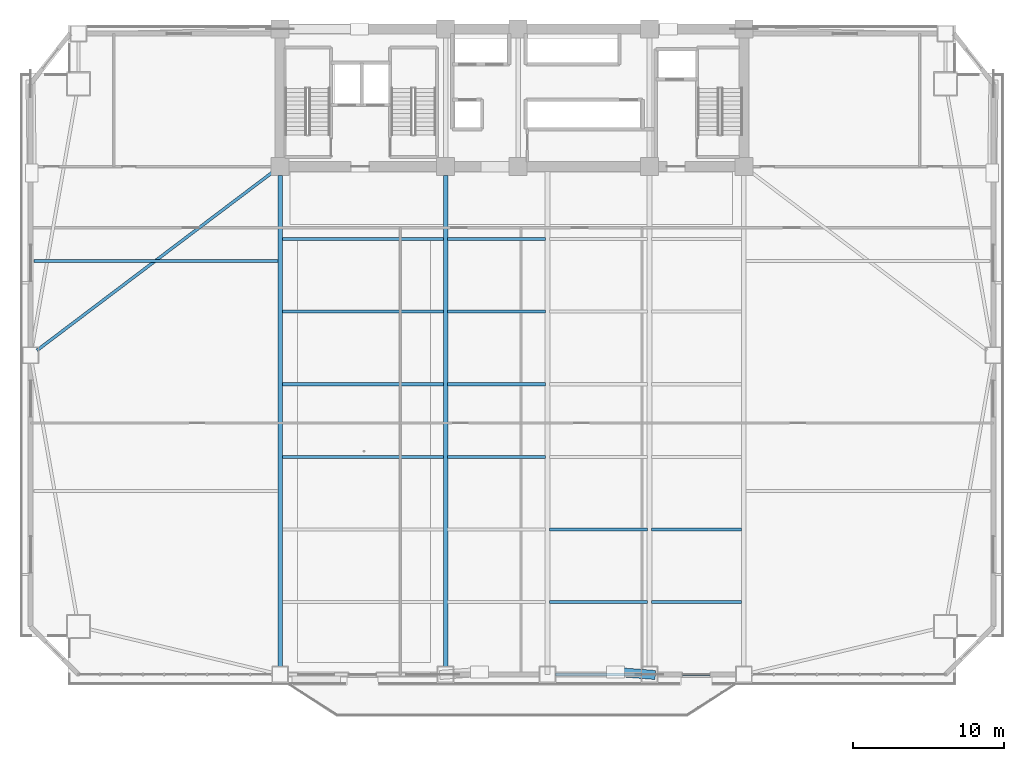
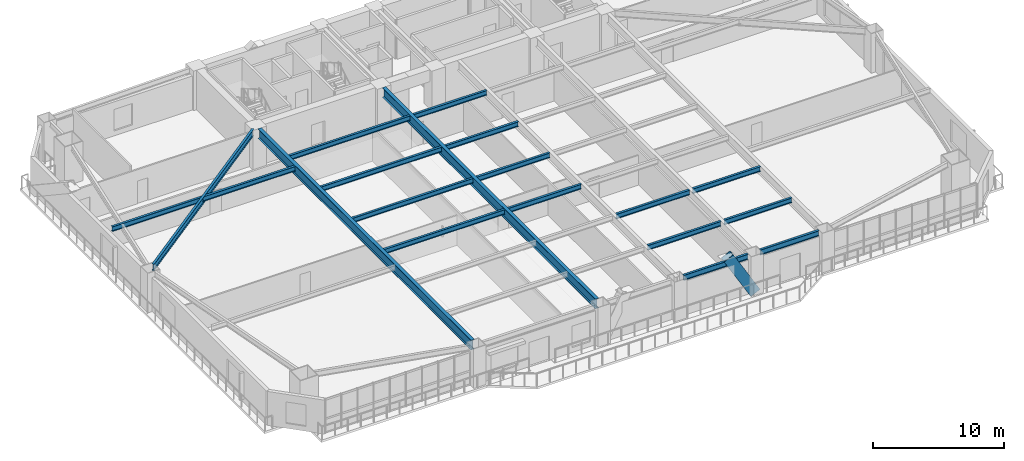
# One storey, part 5 of 17: 18 beams, 1 member.
"""IFC4 building model written with IfcOpenShell, lengths in metres."""

from ifc_helpers import new_model, si_unit, direction, frame, origin, origin_2d, place, context, subcontext, project, spatial, hollow_rectangle, i_section, extrude, source, transform, mapped, material, material_profile, profile_set, type_object, element, save


model = new_model("IFC4")

# Units and contexts
model_context = context("Model", 3, precision=1e-05, world=origin(), true_north=direction((0.0, 1.0)))
body_context = subcontext(model_context, "Body", "Model", "MODEL_VIEW")
ifc_project = project(units=[si_unit("LENGTHUNIT", "METRE"), si_unit("AREAUNIT", "SQUARE_METRE"), si_unit("VOLUMEUNIT", "CUBIC_METRE"), si_unit("PLANEANGLEUNIT", "RADIAN"), si_unit("MASSUNIT", "GRAM", prefix="KILO")], contexts=[model_context])

# Site, building, storey
site_placement = place(None, origin())
site = spatial("IfcSite", under=ifc_project, at=site_placement, CompositionType="ELEMENT")
building_placement = place(site_placement, origin())
building = spatial("IfcBuilding", under=site, at=building_placement, Name="Giltprow Tower", CompositionType="ELEMENT")
storey_placement = place(building_placement, frame((0.0, 0.0, 37.10009765625)))
storey = spatial("IfcBuildingStorey", under=building, at=storey_placement, Name="L09", CompositionType="ELEMENT", Elevation=37.10009765625)

# Beams
ifc_material_1 = material(Name="Structural steel Q355B", Category="steel")
ifc_material_profile_1 = material_profile(ifc_material_1, i_section(OverallWidth=0.199951171875, OverallDepth=0.5, WebThickness=0.010009765625, FlangeThickness=0.01611328125, at=origin_2d()), Name="HN 500x200x10x16")
ifc_profile_set_1 = profile_set([ifc_material_profile_1], Name="Structural steel Q355B")
beam_type_1 = type_object("IfcBeamType", Name="BM-SPAN-HN500", PredefinedType="SPANDREL", material=ifc_profile_set_1)
shared_shape_1 = source(origin(), body_context, "Body", "SweptSolid", [
    extrude(i_section(OverallWidth=0.199951171875, OverallDepth=0.5, WebThickness=0.010009765625, FlangeThickness=0.01611328125, at=origin_2d()), origin(), (0.0, 0.0, 1.0), 5.679931640625),
])
beam_1_placement = place(storey_placement, frame((38.0849609375, 3.826904296875, 3.429931640625), z_axis=(1.0, 0.0, 0.0), x_axis=(0.0, 1.0, 0.0)))
element("IfcBeam", 1, at=beam_1_placement, inside=storey, type_object=beam_type_1, Name="L09 Perimeter Spandrel Beam S_MID-S3", PredefinedType="SPANDREL", context=body_context, shape_type="MappedRepresentation", body=[
    mapped(shared_shape_1, transform((0.0, 0.0, 0.0), x_axis=(1.0, 0.0, 0.0), y_axis=(0.0, 1.0, 0.0), z_axis=(0.0, 0.0, 1.0), scale=1.0)),
])
shared_shape_2 = source(origin(), body_context, "Body", "SweptSolid", [
    extrude(i_section(OverallWidth=0.199951171875, OverallDepth=0.5, WebThickness=0.010009765625, FlangeThickness=0.01611328125, at=origin_2d()), origin(), (0.0, 0.0, 1.0), 5.179931640625),
])
beam_2_placement = place(storey_placement, frame((44.8349609375, 3.826904296875, 3.429931640625), z_axis=(1.0, 0.0, 0.0), x_axis=(0.0, 1.0, 0.0)))
element("IfcBeam", 2, at=beam_2_placement, inside=storey, type_object=beam_type_1, Name="L09 Perimeter Spandrel Beam S3-S4", PredefinedType="SPANDREL", context=body_context, shape_type="MappedRepresentation", body=[
    mapped(shared_shape_2, transform((0.0, 0.0, 0.0), x_axis=(1.0, 0.0, 0.0), y_axis=(0.0, 1.0, 0.0), z_axis=(0.0, 0.0, 1.0), scale=1.0)),
])
ifc_material_profile_2 = material_profile(ifc_material_1, i_section(OverallWidth=0.199951171875, OverallDepth=0.449951171875, WebThickness=0.009033203125, FlangeThickness=0.013916015625, at=origin_2d()), Name="HN 450x200x9x14")
ifc_profile_set_2 = profile_set([ifc_material_profile_2], Name="Structural steel Q355B")
beam_type_2 = type_object("IfcBeamType", Name="BM-JOIST-HN450", PredefinedType="JOIST", material=ifc_profile_set_2)
shared_shape_3 = source(origin(), body_context, "Body", "SweptSolid", [
    extrude(i_section(OverallWidth=0.199951171875, OverallDepth=0.449951171875, WebThickness=0.009033203125, FlangeThickness=0.013916015625, at=origin_2d()), origin(), (0.0, 0.0, 1.0), 10.659912109375),
])
for number, where, z_axis, x_axis, name in (
    (3, (19.9951171875, 18.237060546875, 3.454833984375), (1.0, 0.0, 0.0), (0.0, 1.0, 0.0), "L09 Composite Floor Joist 3-1"),
    (4, (19.9951171875, 23.0400390625, 3.454833984375), (1.0, 0.0, 0.0), (0.0, 1.0, 0.0), "L09 Composite Floor Joist 4-1"),
    (5, (19.9951171875, 27.843017578125, 3.454833984375), (1.0, 0.0, 0.0), (0.0, 1.0, 0.0), "L09 Composite Floor Joist 5-1"),
    (6, (19.9951171875, 32.64697265625, 3.454833984375), (1.0, 0.0, 0.0), (0.0, 1.0, 0.0), "L09 Composite Floor Joist 6-1"),
):
    element("IfcBeam", number, at=place(storey_placement, frame(where, z_axis=z_axis, x_axis=x_axis)), inside=storey, type_object=beam_type_2, Name=name, PredefinedType="JOIST", context=body_context, shape_type="MappedRepresentation", body=[
        mapped(shared_shape_3, transform((0.0, 0.0, 0.0), x_axis=(1.0, 0.0, 0.0), y_axis=(0.0, 1.0, 0.0), z_axis=(0.0, 0.0, 1.0), scale=1.0)),
    ])
shared_shape_4 = source(origin(), body_context, "Body", "SweptSolid", [
    extrude(i_section(OverallWidth=0.199951171875, OverallDepth=0.449951171875, WebThickness=0.009033203125, FlangeThickness=0.013916015625, at=origin_2d()), origin(), (0.0, 0.0, 1.0), 6.4599609375),
])
for number, where, z_axis, x_axis, name in (
    (7, (37.695068359375, 8.6298828125, 3.454833984375), (1.0, 0.0, 0.0), (0.0, 1.0, 0.0), "L09 Composite Floor Joist 1-3"),
    (8, (37.695068359375, 13.43408203125, 3.454833984375), (1.0, 0.0, 0.0), (0.0, 1.0, 0.0), "L09 Composite Floor Joist 2-3"),
    (9, (30.945068359375, 18.237060546875, 3.454833984375), (1.0, 0.0, 0.0), (0.0, 1.0, 0.0), "L09 Composite Floor Joist 3-2"),
    (10, (30.945068359375, 23.0400390625, 3.454833984375), (1.0, 0.0, 0.0), (0.0, 1.0, 0.0), "L09 Composite Floor Joist 4-2"),
    (11, (30.945068359375, 27.843017578125, 3.454833984375), (1.0, 0.0, 0.0), (0.0, 1.0, 0.0), "L09 Composite Floor Joist 5-2"),
    (12, (30.945068359375, 32.64697265625, 3.454833984375), (1.0, 0.0, 0.0), (0.0, 1.0, 0.0), "L09 Composite Floor Joist 6-2"),
):
    element("IfcBeam", number, at=place(storey_placement, frame(where, z_axis=z_axis, x_axis=x_axis)), inside=storey, type_object=beam_type_2, Name=name, PredefinedType="JOIST", context=body_context, shape_type="MappedRepresentation", body=[
        mapped(shared_shape_4, transform((0.0, 0.0, 0.0), x_axis=(1.0, 0.0, 0.0), y_axis=(0.0, 1.0, 0.0), z_axis=(0.0, 0.0, 1.0), scale=1.0)),
    ])
shared_shape_5 = source(origin(), body_context, "Body", "SweptSolid", [
    extrude(i_section(OverallWidth=0.199951171875, OverallDepth=0.449951171875, WebThickness=0.009033203125, FlangeThickness=0.013916015625, at=origin_2d()), origin(), (0.0, 0.0, 1.0), 5.9599609375),
])
for number, where, z_axis, x_axis, name in (
    (13, (44.445068359375, 8.6298828125, 3.454833984375), (1.0, 0.0, 0.0), (0.0, 1.0, 0.0), "L09 Composite Floor Joist 1-4"),
    (14, (44.445068359375, 13.43408203125, 3.454833984375), (1.0, 0.0, 0.0), (0.0, 1.0, 0.0), "L09 Composite Floor Joist 2-4"),
):
    element("IfcBeam", number, at=place(storey_placement, frame(where, z_axis=z_axis, x_axis=x_axis)), inside=storey, type_object=beam_type_2, Name=name, PredefinedType="JOIST", context=body_context, shape_type="MappedRepresentation", body=[
        mapped(shared_shape_5, transform((0.0, 0.0, 0.0), x_axis=(1.0, 0.0, 0.0), y_axis=(0.0, 1.0, 0.0), z_axis=(0.0, 0.0, 1.0), scale=1.0)),
    ])
ifc_material_profile_3 = material_profile(ifc_material_1, i_section(OverallWidth=0.300048828125, OverallDepth=0.89990234375, WebThickness=0.01611328125, FlangeThickness=0.028076171875, at=origin_2d()), Name="HN 900x300x16x28")
ifc_profile_set_3 = profile_set([ifc_material_profile_3], Name="Structural steel Q355B")
beam_type_3 = type_object("IfcBeamType", Name="BM-GIRD-HN900", PredefinedType="BEAM", material=ifc_profile_set_3)
shared_shape_6 = source(origin(), body_context, "Body", "SweptSolid", [
    extrude(i_section(OverallWidth=0.300048828125, OverallDepth=0.89990234375, WebThickness=0.01611328125, FlangeThickness=0.028076171875, at=origin_2d()), origin(), (0.0, 0.0, 1.0), 32.5029296875),
])
for number, where, z_axis, x_axis, name in (
    (15, (19.85009765625, 4.362060546875, 3.22998046875), (0.0, 1.0, 0.0), (-1.0, 0.0, 0.0), "L09 Primary Lease Girder S1"),
    (16, (30.800048828125, 4.362060546875, 3.22998046875), (0.0, 1.0, 0.0), (-1.0, 0.0, 0.0), "L09 Primary Lease Girder S2"),
):
    element("IfcBeam", number, at=place(storey_placement, frame(where, z_axis=z_axis, x_axis=x_axis)), inside=storey, type_object=beam_type_3, Name=name, PredefinedType="BEAM", context=body_context, shape_type="MappedRepresentation", body=[
        mapped(shared_shape_6, transform((0.0, 0.0, 0.0), x_axis=(1.0, 0.0, 0.0), y_axis=(0.0, 1.0, 0.0), z_axis=(0.0, 0.0, 1.0), scale=1.0)),
    ])
ifc_material_profile_4 = material_profile(ifc_material_1, i_section(OverallWidth=0.199951171875, OverallDepth=0.60009765625, WebThickness=0.010986328125, FlangeThickness=0.01708984375, at=origin_2d()), Name="HN 600x200x11x17")
ifc_profile_set_4 = profile_set([ifc_material_profile_4], Name="Structural steel Q355B")
beam_type_4 = type_object("IfcBeamType", Name="BM-GIRD-HN600", PredefinedType="BEAM", material=ifc_profile_set_4)
shared_shape_7 = source(origin(), body_context, "Body", "SweptSolid", [
    extrude(i_section(OverallWidth=0.199951171875, OverallDepth=0.60009765625, WebThickness=0.010986328125, FlangeThickness=0.01708984375, at=origin_2d()), origin(), (0.0, 0.0, 1.0), 19.583740234375),
])
beam_3_placement = place(storey_placement, frame((3.761962890625, 25.285888671875, 3.3798828125), z_axis=(0.797660208942, 0.603107114094, 0.0), x_axis=(-0.603107114094, 0.797660208942, 0.0)))
element("IfcBeam", 17, at=beam_3_placement, inside=storey, type_object=beam_type_4, Name="L09 West Wing Primary Girder", PredefinedType="BEAM", context=body_context, shape_type="MappedRepresentation", body=[
    mapped(shared_shape_7, transform((0.0, 0.0, 0.0), x_axis=(1.0, 0.0, 0.0), y_axis=(0.0, 1.0, 0.0), z_axis=(0.0, 0.0, 1.0), scale=1.0)),
])
shared_shape_8 = source(origin(), body_context, "Body", "SweptSolid", [
    extrude(i_section(OverallWidth=0.199951171875, OverallDepth=0.449951171875, WebThickness=0.009033203125, FlangeThickness=0.013916015625, at=origin_2d()), origin(), (0.0, 0.0, 1.0), 16.150146484375),
])
beam_4_placement = place(storey_placement, frame((3.554931640625, 31.20703125, 3.454833984375), z_axis=(1.0, 0.0, 0.0), x_axis=(0.0, 1.0, 0.0)))
element("IfcBeam", 18, at=beam_4_placement, inside=storey, type_object=beam_type_2, Name="L09 West Wing Floor Joist 2", PredefinedType="JOIST", context=body_context, shape_type="MappedRepresentation", body=[
    mapped(shared_shape_8, transform((0.0, 0.0, 0.0), x_axis=(1.0, 0.0, 0.0), y_axis=(0.0, 1.0, 0.0), z_axis=(0.0, 0.0, 1.0), scale=1.0)),
])

# Member
ifc_material_2 = material(Name="Structural steel Q420GJC", Category="steel")
ifc_material_profile_5 = material_profile(ifc_material_2, hollow_rectangle(XDim=0.60009765625, YDim=0.89990234375, WallThickness=0.0400390625, at=origin_2d()), Name="RHS 900x600x40")
ifc_profile_set_5 = profile_set([ifc_material_profile_5], Name="Structural steel Q420GJC")
member_type = type_object("IfcMemberType", Name="MBR-MEGA-RHS900", PredefinedType="BRACE", material=ifc_profile_set_5)
shared_shape_9 = source(origin(), body_context, "Body", "SweptSolid", [
    extrude(hollow_rectangle(XDim=0.60009765625, YDim=0.89990234375, WallThickness=0.0400390625, at=origin_2d()), origin(), (0.0, 0.0, 1.0), 4.505859375),
])
member_placement = place(storey_placement, frame((44.300048828125, 3.826904296875, 0.0), z_axis=(-0.499350364216, 0.039065930187, 0.865518958115), x_axis=(-0.077995186993, -0.996953735539, 0.0)))
element("IfcMember", 19, at=member_placement, inside=storey, type_object=member_type, Name="L09 Chevron Mega-Brace S-R", PredefinedType="BRACE", context=body_context, shape_type="MappedRepresentation", body=[
    mapped(shared_shape_9, transform((0.0, 0.0, 0.0), x_axis=(1.0, 0.0, 0.0), y_axis=(0.0, 1.0, 0.0), z_axis=(0.0, 0.0, 1.0), scale=1.0)),
])

save(model, "model.ifc")
